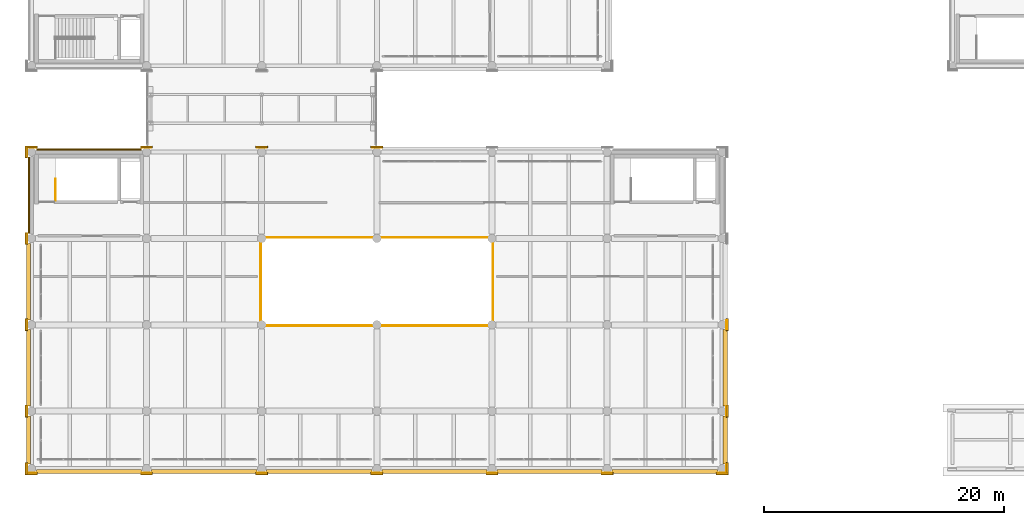
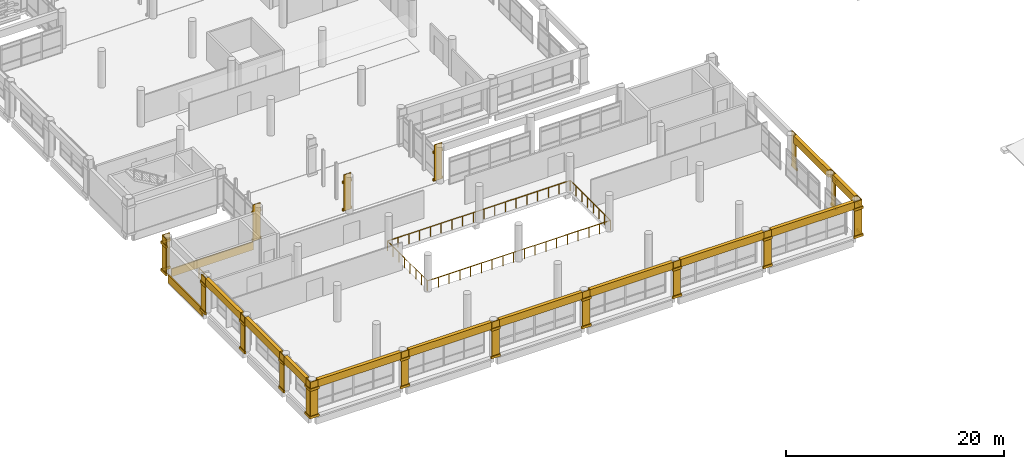
# One storey, part 160 of 180: 69 coverings, 3 railings.
"""IFC4 building model written with IfcOpenShell, lengths in metres."""

from ifc_helpers import new_model, si_unit, direction, frame, origin, origin_2d, place, context, subcontext, project, spatial, rectangle, circle, extrude, material, layer, layer_set, type_object, element, save


model = new_model("IFC4")

# Units and contexts
model_context = context("Model", 3, precision=1e-05, world=origin(), true_north=direction((0.0, 1.0)))
body_context = subcontext(model_context, "Body", "Model", "MODEL_VIEW")
ifc_project = project(units=[si_unit("LENGTHUNIT", "METRE"), si_unit("AREAUNIT", "SQUARE_METRE"), si_unit("VOLUMEUNIT", "CUBIC_METRE"), si_unit("PLANEANGLEUNIT", "RADIAN"), si_unit("MASSUNIT", "GRAM", prefix="KILO")], contexts=[model_context])

# Site, building, storey
site_placement = place(None, origin())
site = spatial("IfcSite", under=ifc_project, at=site_placement, CompositionType="ELEMENT")
building_placement = place(site_placement, origin())
building = spatial("IfcBuilding", under=site, at=building_placement, Name="Asteropetra Specialist Clinic", CompositionType="ELEMENT")
storey_placement = place(building_placement, frame((0.0, 0.0, 4.419921875)))
storey = spatial("IfcBuildingStorey", under=building, at=storey_placement, Name="L01", CompositionType="ELEMENT", Elevation=4.419921875)

# Coverings
ifc_material_1 = material(Name="Pentelic marble ashlar", Category="masonry")
ifc_layer = layer(ifc_material_1, 0.159912109375)
ifc_layer_set = layer_set([ifc_layer], Name="Pentelic marble ashlar")
covering_type = type_object("IfcCoveringType", Name="CRN-ENTAB-600", PredefinedType="MOLDING", material=ifc_layer_set)
for number, where, z_axis, x_axis, name in (
    (1, (4.800048828125, -0.239990234375, 3.25), (0.0, 0.0, 1.0), (1.0, 0.0, 0.0), "Stoa Classical Entablature SE-0013"),
    (2, (14.39990234375, -0.239990234375, 3.25), (0.0, 0.0, 1.0), (1.0, 0.0, 0.0), "Stoa Classical Entablature SE-0014"),
    (3, (24.0, -0.239990234375, 3.25), (0.0, 0.0, 1.0), (1.0, 0.0, 0.0), "Stoa Classical Entablature SE-0015"),
    (4, (33.60009765625, -0.239990234375, 3.25), (0.0, 0.0, 1.0), (1.0, 0.0, 0.0), "Stoa Classical Entablature SE-0016"),
    (5, (43.199951171875, -0.239990234375, 3.25), (0.0, 0.0, 1.0), (1.0, 0.0, 0.0), "Stoa Classical Entablature SE-0018"),
    (6, (52.800048828125, -0.239990234375, 3.25), (0.0, 0.0, 1.0), (1.0, 0.0, 0.0), "Stoa Classical Entablature SE-0020"),
):
    element("IfcCovering", number, at=place(storey_placement, frame(where, z_axis=z_axis, x_axis=x_axis)), inside=storey, type_object=covering_type, Name=name, PredefinedType="MOLDING", context=body_context, shape_type="SweptSolid", body=[
        extrude(rectangle(XDim=8.780029296875, YDim=0.360107421875, at=origin_2d()), origin(), (0.0, 0.0, 1.0), 0.820068359375),
    ])
for number, where, z_axis, x_axis, name in (
    (7, (-0.239990234375, 2.39990234375, 3.25), (0.0, 0.0, 1.0), (1.0, 0.0, 0.0), "Stoa Classical Entablature SE-0021"),
    (8, (57.840087890625, 2.39990234375, 3.25), (0.0, 0.0, 1.0), (1.0, 0.0, 0.0), "Stoa Classical Entablature SE-0022"),
):
    element("IfcCovering", number, at=place(storey_placement, frame(where, z_axis=z_axis, x_axis=x_axis)), inside=storey, type_object=covering_type, Name=name, PredefinedType="MOLDING", context=body_context, shape_type="SweptSolid", body=[
        extrude(rectangle(XDim=0.360107421875, YDim=3.97998046875, at=origin_2d()), origin(), (0.0, 0.0, 1.0), 0.820068359375),
    ])
for number, where, z_axis, x_axis, name in (
    (9, (-0.239990234375, 8.39990234375, 3.25), (0.0, 0.0, 1.0), (1.0, 0.0, 0.0), "Stoa Classical Entablature SE-0023"),
    (10, (57.840087890625, 8.39990234375, 3.25), (0.0, 0.0, 1.0), (1.0, 0.0, 0.0), "Stoa Classical Entablature SE-0024"),
    (11, (-0.239990234375, 15.60009765625, 3.25), (0.0, 0.0, 1.0), (1.0, 0.0, 0.0), "Stoa Classical Entablature SE-0025"),
):
    element("IfcCovering", number, at=place(storey_placement, frame(where, z_axis=z_axis, x_axis=x_axis)), inside=storey, type_object=covering_type, Name=name, PredefinedType="MOLDING", context=body_context, shape_type="SweptSolid", body=[
        extrude(rectangle(XDim=0.360107421875, YDim=6.3798828125, at=origin_2d()), origin(), (0.0, 0.0, 1.0), 0.820068359375),
    ])
covering_1_placement = place(storey_placement, frame((0.0, -0.382080078125, 0.02001953125), z_axis=(0.0, 0.0, 1.0), x_axis=(1.0, 0.0, 0.0)))
element("IfcCovering", 12, at=covering_1_placement, inside=storey, type_object=covering_type, Name="Neoclassical Pilaster Facing CM-0307", PredefinedType="MOLDING", context=body_context, shape_type="SweptSolid", body=[
    extrude(rectangle(XDim=0.780029296875, YDim=0.080078125, at=origin_2d()), origin(), (0.0, 0.0, 1.0), 4.0400390625),
])
for number, where, z_axis, x_axis, name in (
    (13, (0.0, -0.422119140625, 0.01025390625), (0.0, 0.0, 1.0), (1.0, 0.0, 0.0), "Doric Base CC-0308"),
    (14, (0.0, -0.422119140625, 3.08984375), (0.0, 0.0, 1.0), (1.0, 0.0, 0.0), "Doric Capital CC-0309"),
):
    element("IfcCovering", number, at=place(storey_placement, frame(where, z_axis=z_axis, x_axis=x_axis)), inside=storey, type_object=covering_type, Name=name, PredefinedType="MOLDING", context=body_context, shape_type="SweptSolid", body=[
        extrude(rectangle(XDim=0.97998046875, YDim=0.159912109375, at=origin_2d()), origin(), (0.0, 0.0, 1.0), 0.260009765625),
    ])
covering_2_placement = place(storey_placement, frame((-0.382080078125, 0.0, 0.02001953125), z_axis=(0.0, 0.0, 1.0), x_axis=(1.0, 0.0, 0.0)))
element("IfcCovering", 15, at=covering_2_placement, inside=storey, type_object=covering_type, Name="Neoclassical Pilaster Facing CM-0310", PredefinedType="MOLDING", context=body_context, shape_type="SweptSolid", body=[
    extrude(rectangle(XDim=0.080078125, YDim=0.780029296875, at=origin_2d()), origin(), (0.0, 0.0, 1.0), 4.0400390625),
])
for number, where, z_axis, x_axis, name in (
    (16, (-0.422119140625, 0.0, 0.01025390625), (0.0, 0.0, 1.0), (1.0, 0.0, 0.0), "Doric Base CC-0311"),
    (17, (-0.422119140625, 0.0, 3.08984375), (0.0, 0.0, 1.0), (1.0, 0.0, 0.0), "Doric Capital CC-0312"),
):
    element("IfcCovering", number, at=place(storey_placement, frame(where, z_axis=z_axis, x_axis=x_axis)), inside=storey, type_object=covering_type, Name=name, PredefinedType="MOLDING", context=body_context, shape_type="SweptSolid", body=[
        extrude(rectangle(XDim=0.159912109375, YDim=0.97998046875, at=origin_2d()), origin(), (0.0, 0.0, 1.0), 0.260009765625),
    ])
covering_3_placement = place(storey_placement, frame((-0.382080078125, 4.800048828125, 0.02001953125), z_axis=(0.0, 0.0, 1.0), x_axis=(1.0, 0.0, 0.0)))
element("IfcCovering", 18, at=covering_3_placement, inside=storey, type_object=covering_type, Name="Neoclassical Pilaster Facing CM-0313", PredefinedType="MOLDING", context=body_context, shape_type="SweptSolid", body=[
    extrude(rectangle(XDim=0.080078125, YDim=0.780029296875, at=origin_2d()), origin(), (0.0, 0.0, 1.0), 4.0400390625),
])
for number, where, z_axis, x_axis, name in (
    (19, (-0.422119140625, 4.800048828125, 0.01025390625), (0.0, 0.0, 1.0), (1.0, 0.0, 0.0), "Doric Base CC-0314"),
    (20, (-0.422119140625, 4.800048828125, 3.08984375), (0.0, 0.0, 1.0), (1.0, 0.0, 0.0), "Doric Capital CC-0315"),
):
    element("IfcCovering", number, at=place(storey_placement, frame(where, z_axis=z_axis, x_axis=x_axis)), inside=storey, type_object=covering_type, Name=name, PredefinedType="MOLDING", context=body_context, shape_type="SweptSolid", body=[
        extrude(rectangle(XDim=0.159912109375, YDim=0.97998046875, at=origin_2d()), origin(), (0.0, 0.0, 1.0), 0.260009765625),
    ])
covering_4_placement = place(storey_placement, frame((-0.382080078125, 12.0, 0.02001953125), z_axis=(0.0, 0.0, 1.0), x_axis=(1.0, 0.0, 0.0)))
element("IfcCovering", 21, at=covering_4_placement, inside=storey, type_object=covering_type, Name="Neoclassical Pilaster Facing CM-0316", PredefinedType="MOLDING", context=body_context, shape_type="SweptSolid", body=[
    extrude(rectangle(XDim=0.080078125, YDim=0.780029296875, at=origin_2d()), origin(), (0.0, 0.0, 1.0), 4.0400390625),
])
for number, where, z_axis, x_axis, name in (
    (22, (-0.422119140625, 12.0, 0.01025390625), (0.0, 0.0, 1.0), (1.0, 0.0, 0.0), "Doric Base CC-0317"),
    (23, (-0.422119140625, 12.0, 3.08984375), (0.0, 0.0, 1.0), (1.0, 0.0, 0.0), "Doric Capital CC-0318"),
):
    element("IfcCovering", number, at=place(storey_placement, frame(where, z_axis=z_axis, x_axis=x_axis)), inside=storey, type_object=covering_type, Name=name, PredefinedType="MOLDING", context=body_context, shape_type="SweptSolid", body=[
        extrude(rectangle(XDim=0.159912109375, YDim=0.97998046875, at=origin_2d()), origin(), (0.0, 0.0, 1.0), 0.260009765625),
    ])
covering_5_placement = place(storey_placement, frame((-0.382080078125, 19.199951171875, 0.02001953125), z_axis=(0.0, 0.0, 1.0), x_axis=(1.0, 0.0, 0.0)))
element("IfcCovering", 24, at=covering_5_placement, inside=storey, type_object=covering_type, Name="Neoclassical Pilaster Facing CM-0319", PredefinedType="MOLDING", context=body_context, shape_type="SweptSolid", body=[
    extrude(rectangle(XDim=0.080078125, YDim=0.780029296875, at=origin_2d()), origin(), (0.0, 0.0, 1.0), 4.0400390625),
])
for number, where, z_axis, x_axis, name in (
    (25, (-0.422119140625, 19.199951171875, 0.01025390625), (0.0, 0.0, 1.0), (1.0, 0.0, 0.0), "Doric Base CC-0320"),
    (26, (-0.422119140625, 19.199951171875, 3.08984375), (0.0, 0.0, 1.0), (1.0, 0.0, 0.0), "Doric Capital CC-0321"),
):
    element("IfcCovering", number, at=place(storey_placement, frame(where, z_axis=z_axis, x_axis=x_axis)), inside=storey, type_object=covering_type, Name=name, PredefinedType="MOLDING", context=body_context, shape_type="SweptSolid", body=[
        extrude(rectangle(XDim=0.159912109375, YDim=0.97998046875, at=origin_2d()), origin(), (0.0, 0.0, 1.0), 0.260009765625),
    ])
covering_6_placement = place(storey_placement, frame((0.0, 26.781982421875, 0.02001953125), z_axis=(0.0, 0.0, 1.0), x_axis=(1.0, 0.0, 0.0)))
element("IfcCovering", 27, at=covering_6_placement, inside=storey, type_object=covering_type, Name="Neoclassical Pilaster Facing CM-0322", PredefinedType="MOLDING", context=body_context, shape_type="SweptSolid", body=[
    extrude(rectangle(XDim=0.780029296875, YDim=0.080078125, at=origin_2d()), origin(), (0.0, 0.0, 1.0), 4.0400390625),
])
for number, where, z_axis, x_axis, name in (
    (28, (0.0, 26.822021484375, 0.01025390625), (0.0, 0.0, 1.0), (1.0, 0.0, 0.0), "Doric Base CC-0323"),
    (29, (0.0, 26.822021484375, 3.08984375), (0.0, 0.0, 1.0), (1.0, 0.0, 0.0), "Doric Capital CC-0324"),
):
    element("IfcCovering", number, at=place(storey_placement, frame(where, z_axis=z_axis, x_axis=x_axis)), inside=storey, type_object=covering_type, Name=name, PredefinedType="MOLDING", context=body_context, shape_type="SweptSolid", body=[
        extrude(rectangle(XDim=0.97998046875, YDim=0.159912109375, at=origin_2d()), origin(), (0.0, 0.0, 1.0), 0.260009765625),
    ])
covering_7_placement = place(storey_placement, frame((-0.382080078125, 26.39990234375, 0.02001953125), z_axis=(0.0, 0.0, 1.0), x_axis=(1.0, 0.0, 0.0)))
element("IfcCovering", 30, at=covering_7_placement, inside=storey, type_object=covering_type, Name="Neoclassical Pilaster Facing CM-0325", PredefinedType="MOLDING", context=body_context, shape_type="SweptSolid", body=[
    extrude(rectangle(XDim=0.080078125, YDim=0.780029296875, at=origin_2d()), origin(), (0.0, 0.0, 1.0), 4.0400390625),
])
for number, where, z_axis, x_axis, name in (
    (31, (-0.422119140625, 26.39990234375, 0.01025390625), (0.0, 0.0, 1.0), (1.0, 0.0, 0.0), "Doric Base CC-0326"),
    (32, (-0.422119140625, 26.39990234375, 3.08984375), (0.0, 0.0, 1.0), (1.0, 0.0, 0.0), "Doric Capital CC-0327"),
):
    element("IfcCovering", number, at=place(storey_placement, frame(where, z_axis=z_axis, x_axis=x_axis)), inside=storey, type_object=covering_type, Name=name, PredefinedType="MOLDING", context=body_context, shape_type="SweptSolid", body=[
        extrude(rectangle(XDim=0.159912109375, YDim=0.97998046875, at=origin_2d()), origin(), (0.0, 0.0, 1.0), 0.260009765625),
    ])
covering_8_placement = place(storey_placement, frame((9.60009765625, -0.382080078125, 0.02001953125), z_axis=(0.0, 0.0, 1.0), x_axis=(1.0, 0.0, 0.0)))
element("IfcCovering", 33, at=covering_8_placement, inside=storey, type_object=covering_type, Name="Neoclassical Pilaster Facing CM-0328", PredefinedType="MOLDING", context=body_context, shape_type="SweptSolid", body=[
    extrude(rectangle(XDim=0.780029296875, YDim=0.080078125, at=origin_2d()), origin(), (0.0, 0.0, 1.0), 4.0400390625),
])
for number, where, z_axis, x_axis, name in (
    (34, (9.60009765625, -0.422119140625, 0.01025390625), (0.0, 0.0, 1.0), (1.0, 0.0, 0.0), "Doric Base CC-0329"),
    (35, (9.60009765625, -0.422119140625, 3.08984375), (0.0, 0.0, 1.0), (1.0, 0.0, 0.0), "Doric Capital CC-0330"),
):
    element("IfcCovering", number, at=place(storey_placement, frame(where, z_axis=z_axis, x_axis=x_axis)), inside=storey, type_object=covering_type, Name=name, PredefinedType="MOLDING", context=body_context, shape_type="SweptSolid", body=[
        extrude(rectangle(XDim=0.97998046875, YDim=0.159912109375, at=origin_2d()), origin(), (0.0, 0.0, 1.0), 0.260009765625),
    ])
covering_9_placement = place(storey_placement, frame((9.60009765625, 26.781982421875, 0.02001953125), z_axis=(0.0, 0.0, 1.0), x_axis=(1.0, 0.0, 0.0)))
element("IfcCovering", 36, at=covering_9_placement, inside=storey, type_object=covering_type, Name="Neoclassical Pilaster Facing CM-0331", PredefinedType="MOLDING", context=body_context, shape_type="SweptSolid", body=[
    extrude(rectangle(XDim=0.780029296875, YDim=0.080078125, at=origin_2d()), origin(), (0.0, 0.0, 1.0), 4.0400390625),
])
for number, where, z_axis, x_axis, name in (
    (37, (9.60009765625, 26.822021484375, 0.01025390625), (0.0, 0.0, 1.0), (1.0, 0.0, 0.0), "Doric Base CC-0332"),
    (38, (9.60009765625, 26.822021484375, 3.08984375), (0.0, 0.0, 1.0), (1.0, 0.0, 0.0), "Doric Capital CC-0333"),
):
    element("IfcCovering", number, at=place(storey_placement, frame(where, z_axis=z_axis, x_axis=x_axis)), inside=storey, type_object=covering_type, Name=name, PredefinedType="MOLDING", context=body_context, shape_type="SweptSolid", body=[
        extrude(rectangle(XDim=0.97998046875, YDim=0.159912109375, at=origin_2d()), origin(), (0.0, 0.0, 1.0), 0.260009765625),
    ])
covering_10_placement = place(storey_placement, frame((19.199951171875, -0.382080078125, 0.02001953125), z_axis=(0.0, 0.0, 1.0), x_axis=(1.0, 0.0, 0.0)))
element("IfcCovering", 39, at=covering_10_placement, inside=storey, type_object=covering_type, Name="Neoclassical Pilaster Facing CM-0334", PredefinedType="MOLDING", context=body_context, shape_type="SweptSolid", body=[
    extrude(rectangle(XDim=0.780029296875, YDim=0.080078125, at=origin_2d()), origin(), (0.0, 0.0, 1.0), 4.0400390625),
])
for number, where, z_axis, x_axis, name in (
    (40, (19.199951171875, -0.422119140625, 0.01025390625), (0.0, 0.0, 1.0), (1.0, 0.0, 0.0), "Doric Base CC-0335"),
    (41, (19.199951171875, -0.422119140625, 3.08984375), (0.0, 0.0, 1.0), (1.0, 0.0, 0.0), "Doric Capital CC-0336"),
):
    element("IfcCovering", number, at=place(storey_placement, frame(where, z_axis=z_axis, x_axis=x_axis)), inside=storey, type_object=covering_type, Name=name, PredefinedType="MOLDING", context=body_context, shape_type="SweptSolid", body=[
        extrude(rectangle(XDim=0.97998046875, YDim=0.159912109375, at=origin_2d()), origin(), (0.0, 0.0, 1.0), 0.260009765625),
    ])
covering_11_placement = place(storey_placement, frame((19.199951171875, 26.781982421875, 0.02001953125), z_axis=(0.0, 0.0, 1.0), x_axis=(1.0, 0.0, 0.0)))
element("IfcCovering", 42, at=covering_11_placement, inside=storey, type_object=covering_type, Name="Neoclassical Pilaster Facing CM-0337", PredefinedType="MOLDING", context=body_context, shape_type="SweptSolid", body=[
    extrude(rectangle(XDim=0.780029296875, YDim=0.080078125, at=origin_2d()), origin(), (0.0, 0.0, 1.0), 4.0400390625),
])
for number, where, z_axis, x_axis, name in (
    (43, (19.199951171875, 26.822021484375, 0.01025390625), (0.0, 0.0, 1.0), (1.0, 0.0, 0.0), "Doric Base CC-0338"),
    (44, (19.199951171875, 26.822021484375, 3.08984375), (0.0, 0.0, 1.0), (1.0, 0.0, 0.0), "Doric Capital CC-0339"),
):
    element("IfcCovering", number, at=place(storey_placement, frame(where, z_axis=z_axis, x_axis=x_axis)), inside=storey, type_object=covering_type, Name=name, PredefinedType="MOLDING", context=body_context, shape_type="SweptSolid", body=[
        extrude(rectangle(XDim=0.97998046875, YDim=0.159912109375, at=origin_2d()), origin(), (0.0, 0.0, 1.0), 0.260009765625),
    ])
covering_12_placement = place(storey_placement, frame((28.800048828125, -0.382080078125, 0.02001953125), z_axis=(0.0, 0.0, 1.0), x_axis=(1.0, 0.0, 0.0)))
element("IfcCovering", 45, at=covering_12_placement, inside=storey, type_object=covering_type, Name="Neoclassical Pilaster Facing CM-0340", PredefinedType="MOLDING", context=body_context, shape_type="SweptSolid", body=[
    extrude(rectangle(XDim=0.780029296875, YDim=0.080078125, at=origin_2d()), origin(), (0.0, 0.0, 1.0), 4.0400390625),
])
for number, where, z_axis, x_axis, name in (
    (46, (28.800048828125, -0.422119140625, 0.01025390625), (0.0, 0.0, 1.0), (1.0, 0.0, 0.0), "Doric Base CC-0341"),
    (47, (28.800048828125, -0.422119140625, 3.08984375), (0.0, 0.0, 1.0), (1.0, 0.0, 0.0), "Doric Capital CC-0342"),
):
    element("IfcCovering", number, at=place(storey_placement, frame(where, z_axis=z_axis, x_axis=x_axis)), inside=storey, type_object=covering_type, Name=name, PredefinedType="MOLDING", context=body_context, shape_type="SweptSolid", body=[
        extrude(rectangle(XDim=0.97998046875, YDim=0.159912109375, at=origin_2d()), origin(), (0.0, 0.0, 1.0), 0.260009765625),
    ])
covering_13_placement = place(storey_placement, frame((28.800048828125, 26.781982421875, 0.02001953125), z_axis=(0.0, 0.0, 1.0), x_axis=(1.0, 0.0, 0.0)))
element("IfcCovering", 48, at=covering_13_placement, inside=storey, type_object=covering_type, Name="Neoclassical Pilaster Facing CM-0343", PredefinedType="MOLDING", context=body_context, shape_type="SweptSolid", body=[
    extrude(rectangle(XDim=0.780029296875, YDim=0.080078125, at=origin_2d()), origin(), (0.0, 0.0, 1.0), 4.0400390625),
])
for number, where, z_axis, x_axis, name in (
    (49, (28.800048828125, 26.822021484375, 0.01025390625), (0.0, 0.0, 1.0), (1.0, 0.0, 0.0), "Doric Base CC-0344"),
    (50, (28.800048828125, 26.822021484375, 3.08984375), (0.0, 0.0, 1.0), (1.0, 0.0, 0.0), "Doric Capital CC-0345"),
):
    element("IfcCovering", number, at=place(storey_placement, frame(where, z_axis=z_axis, x_axis=x_axis)), inside=storey, type_object=covering_type, Name=name, PredefinedType="MOLDING", context=body_context, shape_type="SweptSolid", body=[
        extrude(rectangle(XDim=0.97998046875, YDim=0.159912109375, at=origin_2d()), origin(), (0.0, 0.0, 1.0), 0.260009765625),
    ])
covering_14_placement = place(storey_placement, frame((38.39990234375, -0.382080078125, 0.02001953125), z_axis=(0.0, 0.0, 1.0), x_axis=(1.0, 0.0, 0.0)))
element("IfcCovering", 51, at=covering_14_placement, inside=storey, type_object=covering_type, Name="Neoclassical Pilaster Facing CM-0346", PredefinedType="MOLDING", context=body_context, shape_type="SweptSolid", body=[
    extrude(rectangle(XDim=0.780029296875, YDim=0.080078125, at=origin_2d()), origin(), (0.0, 0.0, 1.0), 4.0400390625),
])
for number, where, z_axis, x_axis, name in (
    (52, (38.39990234375, -0.422119140625, 0.01025390625), (0.0, 0.0, 1.0), (1.0, 0.0, 0.0), "Doric Base CC-0347"),
    (53, (38.39990234375, -0.422119140625, 3.08984375), (0.0, 0.0, 1.0), (1.0, 0.0, 0.0), "Doric Capital CC-0348"),
):
    element("IfcCovering", number, at=place(storey_placement, frame(where, z_axis=z_axis, x_axis=x_axis)), inside=storey, type_object=covering_type, Name=name, PredefinedType="MOLDING", context=body_context, shape_type="SweptSolid", body=[
        extrude(rectangle(XDim=0.97998046875, YDim=0.159912109375, at=origin_2d()), origin(), (0.0, 0.0, 1.0), 0.260009765625),
    ])
covering_15_placement = place(storey_placement, frame((48.0, -0.382080078125, 0.02001953125), z_axis=(0.0, 0.0, 1.0), x_axis=(1.0, 0.0, 0.0)))
element("IfcCovering", 54, at=covering_15_placement, inside=storey, type_object=covering_type, Name="Neoclassical Pilaster Facing CM-0352", PredefinedType="MOLDING", context=body_context, shape_type="SweptSolid", body=[
    extrude(rectangle(XDim=0.780029296875, YDim=0.080078125, at=origin_2d()), origin(), (0.0, 0.0, 1.0), 4.0400390625),
])
for number, where, z_axis, x_axis, name in (
    (55, (48.0, -0.422119140625, 0.01025390625), (0.0, 0.0, 1.0), (1.0, 0.0, 0.0), "Doric Base CC-0353"),
    (56, (48.0, -0.422119140625, 3.08984375), (0.0, 0.0, 1.0), (1.0, 0.0, 0.0), "Doric Capital CC-0354"),
):
    element("IfcCovering", number, at=place(storey_placement, frame(where, z_axis=z_axis, x_axis=x_axis)), inside=storey, type_object=covering_type, Name=name, PredefinedType="MOLDING", context=body_context, shape_type="SweptSolid", body=[
        extrude(rectangle(XDim=0.97998046875, YDim=0.159912109375, at=origin_2d()), origin(), (0.0, 0.0, 1.0), 0.260009765625),
    ])
covering_16_placement = place(storey_placement, frame((57.60009765625, -0.382080078125, 0.02001953125), z_axis=(0.0, 0.0, 1.0), x_axis=(1.0, 0.0, 0.0)))
element("IfcCovering", 57, at=covering_16_placement, inside=storey, type_object=covering_type, Name="Neoclassical Pilaster Facing CM-0358", PredefinedType="MOLDING", context=body_context, shape_type="SweptSolid", body=[
    extrude(rectangle(XDim=0.780029296875, YDim=0.080078125, at=origin_2d()), origin(), (0.0, 0.0, 1.0), 4.0400390625),
])
for number, where, z_axis, x_axis, name in (
    (58, (57.60009765625, -0.422119140625, 0.01025390625), (0.0, 0.0, 1.0), (1.0, 0.0, 0.0), "Doric Base CC-0359"),
    (59, (57.60009765625, -0.422119140625, 3.08984375), (0.0, 0.0, 1.0), (1.0, 0.0, 0.0), "Doric Capital CC-0360"),
):
    element("IfcCovering", number, at=place(storey_placement, frame(where, z_axis=z_axis, x_axis=x_axis)), inside=storey, type_object=covering_type, Name=name, PredefinedType="MOLDING", context=body_context, shape_type="SweptSolid", body=[
        extrude(rectangle(XDim=0.97998046875, YDim=0.159912109375, at=origin_2d()), origin(), (0.0, 0.0, 1.0), 0.260009765625),
    ])
covering_17_placement = place(storey_placement, frame((57.98193359375, 0.0, 0.02001953125), z_axis=(0.0, 0.0, 1.0), x_axis=(1.0, 0.0, 0.0)))
element("IfcCovering", 60, at=covering_17_placement, inside=storey, type_object=covering_type, Name="Neoclassical Pilaster Facing CM-0361", PredefinedType="MOLDING", context=body_context, shape_type="SweptSolid", body=[
    extrude(rectangle(XDim=0.080078125, YDim=0.780029296875, at=origin_2d()), origin(), (0.0, 0.0, 1.0), 4.0400390625),
])
for number, where, z_axis, x_axis, name in (
    (61, (58.02197265625, 0.0, 0.01025390625), (0.0, 0.0, 1.0), (1.0, 0.0, 0.0), "Doric Base CC-0362"),
    (62, (58.02197265625, 0.0, 3.08984375), (0.0, 0.0, 1.0), (1.0, 0.0, 0.0), "Doric Capital CC-0363"),
):
    element("IfcCovering", number, at=place(storey_placement, frame(where, z_axis=z_axis, x_axis=x_axis)), inside=storey, type_object=covering_type, Name=name, PredefinedType="MOLDING", context=body_context, shape_type="SweptSolid", body=[
        extrude(rectangle(XDim=0.159912109375, YDim=0.97998046875, at=origin_2d()), origin(), (0.0, 0.0, 1.0), 0.260009765625),
    ])
covering_18_placement = place(storey_placement, frame((57.98193359375, 4.800048828125, 0.02001953125), z_axis=(0.0, 0.0, 1.0), x_axis=(1.0, 0.0, 0.0)))
element("IfcCovering", 63, at=covering_18_placement, inside=storey, type_object=covering_type, Name="Neoclassical Pilaster Facing CM-0364", PredefinedType="MOLDING", context=body_context, shape_type="SweptSolid", body=[
    extrude(rectangle(XDim=0.080078125, YDim=0.780029296875, at=origin_2d()), origin(), (0.0, 0.0, 1.0), 4.0400390625),
])
for number, where, z_axis, x_axis, name in (
    (64, (58.02197265625, 4.800048828125, 0.01025390625), (0.0, 0.0, 1.0), (1.0, 0.0, 0.0), "Doric Base CC-0365"),
    (65, (58.02197265625, 4.800048828125, 3.08984375), (0.0, 0.0, 1.0), (1.0, 0.0, 0.0), "Doric Capital CC-0366"),
):
    element("IfcCovering", number, at=place(storey_placement, frame(where, z_axis=z_axis, x_axis=x_axis)), inside=storey, type_object=covering_type, Name=name, PredefinedType="MOLDING", context=body_context, shape_type="SweptSolid", body=[
        extrude(rectangle(XDim=0.159912109375, YDim=0.97998046875, at=origin_2d()), origin(), (0.0, 0.0, 1.0), 0.260009765625),
    ])
covering_19_placement = place(storey_placement, frame((57.98193359375, 12.0, 0.02001953125), z_axis=(0.0, 0.0, 1.0), x_axis=(1.0, 0.0, 0.0)))
element("IfcCovering", 66, at=covering_19_placement, inside=storey, type_object=covering_type, Name="Neoclassical Pilaster Facing CM-0367", PredefinedType="MOLDING", context=body_context, shape_type="SweptSolid", body=[
    extrude(rectangle(XDim=0.080078125, YDim=0.780029296875, at=origin_2d()), origin(), (0.0, 0.0, 1.0), 4.0400390625),
])
covering_20_placement = place(storey_placement, frame((58.02197265625, 12.0, 0.01025390625), z_axis=(0.0, 0.0, 1.0), x_axis=(1.0, 0.0, 0.0)))
element("IfcCovering", 67, at=covering_20_placement, inside=storey, type_object=covering_type, Name="Doric Base CC-0368", PredefinedType="MOLDING", context=body_context, shape_type="SweptSolid", body=[
    extrude(rectangle(XDim=0.159912109375, YDim=0.97998046875, at=origin_2d()), origin(), (0.0, 0.0, 1.0), 0.260009765625),
])
covering_21_placement = place(storey_placement, frame((4.800048828125, 26.610107421875, -0.7998046875), z_axis=(0.0, 0.0, 1.0), x_axis=(1.0, 0.0, 0.0)))
element("IfcCovering", 68, at=covering_21_placement, inside=storey, type_object=covering_type, Name="Chevron Spandrel Band CV-1365", PredefinedType="MOLDING", context=body_context, shape_type="SweptSolid", body=[
    extrude(rectangle(XDim=8.699951171875, YDim=0.1201171875, at=origin_2d()), origin(), (0.0, 0.0, 1.0), 0.8798828125),
])
covering_22_placement = place(storey_placement, frame((-0.2099609375, 22.800048828125, -0.7998046875), z_axis=(0.0, 0.0, 1.0), x_axis=(1.0, 0.0, 0.0)))
element("IfcCovering", 69, at=covering_22_placement, inside=storey, type_object=covering_type, Name="Chevron Spandrel Band CV-1367", PredefinedType="MOLDING", context=body_context, shape_type="SweptSolid", body=[
    extrude(rectangle(XDim=0.1201171875, YDim=6.300048828125, at=origin_2d()), origin(), (0.0, 0.0, 1.0), 0.8798828125),
])

# Railings
ifc_material_2 = material(Name="Steel S355 and laminated glass guard", Category="steel")
railing_type = type_object("IfcRailingType", Name="GRD-INT-1120", PredefinedType="GUARDRAIL", material=ifc_material_2)
railing_1_placement = place(storey_placement, frame((2.0, 22.3798828125, 0.0)))
element("IfcRailing", 70, at=railing_1_placement, inside=storey, type_object=railing_type, Name="Stair Well Guard ST06-L00", PredefinedType="GUARDRAIL", context=body_context, shape_type="SweptSolid", body=[
    extrude(circle(Radius=0.02392578125, at=origin_2d()), frame((0.0, 0.0, 1.09619140625), z_axis=(0.0, 1.0, 0.0), x_axis=(-1.0, 0.0, 0.0)), (0.0, 0.0, 1.0), 1.780029296875),
    extrude(circle(Radius=0.02099609375, at=origin_2d()), origin(), (0.0, 0.0, 1.0), 1.072021484375),
    extrude(circle(Radius=0.02099609375, at=origin_2d()), frame((0.0, 0.89013671875, 0.0)), (0.0, 0.0, 1.0), 1.072021484375),
    extrude(circle(Radius=0.02099609375, at=origin_2d()), frame((0.0, 1.780029296875, 0.0)), (0.0, 0.0, 1.0), 1.072021484375),
])
railing_2_placement = place(storey_placement, frame((19.1201171875, 11.919921875, 0.0)))
element("IfcRailing", 71, at=railing_2_placement, inside=storey, type_object=railing_type, Name="Imaging Atrium Gallery Guard South-East", PredefinedType="GUARDRAIL", context=body_context, shape_type="SweptSolid", body=[
    extrude(circle(Radius=0.02392578125, at=origin_2d()), frame((0.0, 0.0, 1.09619140625), z_axis=(1.0, 0.0, 0.0), x_axis=(0.0, 1.0, 0.0)), (0.0, 0.0, 1.0), 19.35986328125),
    extrude(circle(Radius=0.02392578125, at=origin_2d()), frame((19.35986328125, 0.0, 1.09619140625), z_axis=(0.0, 1.0, 0.0), x_axis=(-1.0, 0.0, 0.0)), (0.0, 0.0, 1.0), 7.320068359375),
    extrude(circle(Radius=0.02099609375, at=origin_2d()), origin(), (0.0, 0.0, 1.0), 1.072021484375),
    extrude(circle(Radius=0.02099609375, at=origin_2d()), frame((1.138916015625, 0.0, 0.0)), (0.0, 0.0, 1.0), 1.072021484375),
    extrude(circle(Radius=0.02099609375, at=origin_2d()), frame((2.277587890625, 0.0, 0.0)), (0.0, 0.0, 1.0), 1.072021484375),
    extrude(circle(Radius=0.02099609375, at=origin_2d()), frame((3.41650390625, 0.0, 0.0)), (0.0, 0.0, 1.0), 1.072021484375),
    extrude(circle(Radius=0.02099609375, at=origin_2d()), frame((4.55517578125, 0.0, 0.0)), (0.0, 0.0, 1.0), 1.072021484375),
    extrude(circle(Radius=0.02099609375, at=origin_2d()), frame((5.694091796875, 0.0, 0.0)), (0.0, 0.0, 1.0), 1.072021484375),
    extrude(circle(Radius=0.02099609375, at=origin_2d()), frame((6.8330078125, 0.0, 0.0)), (0.0, 0.0, 1.0), 1.072021484375),
    extrude(circle(Radius=0.02099609375, at=origin_2d()), frame((7.9716796875, 0.0, 0.0)), (0.0, 0.0, 1.0), 1.072021484375),
    extrude(circle(Radius=0.02099609375, at=origin_2d()), frame((9.110595703125, 0.0, 0.0)), (0.0, 0.0, 1.0), 1.072021484375),
    extrude(circle(Radius=0.02099609375, at=origin_2d()), frame((10.249267578125, 0.0, 0.0)), (0.0, 0.0, 1.0), 1.072021484375),
    extrude(circle(Radius=0.02099609375, at=origin_2d()), frame((11.38818359375, 0.0, 0.0)), (0.0, 0.0, 1.0), 1.072021484375),
    extrude(circle(Radius=0.02099609375, at=origin_2d()), frame((12.52685546875, 0.0, 0.0)), (0.0, 0.0, 1.0), 1.072021484375),
    extrude(circle(Radius=0.02099609375, at=origin_2d()), frame((13.665771484375, 0.0, 0.0)), (0.0, 0.0, 1.0), 1.072021484375),
    extrude(circle(Radius=0.02099609375, at=origin_2d()), frame((14.8046875, 0.0, 0.0)), (0.0, 0.0, 1.0), 1.072021484375),
    extrude(circle(Radius=0.02099609375, at=origin_2d()), frame((15.943359375, 0.0, 0.0)), (0.0, 0.0, 1.0), 1.072021484375),
    extrude(circle(Radius=0.02099609375, at=origin_2d()), frame((17.082275390625, 0.0, 0.0)), (0.0, 0.0, 1.0), 1.072021484375),
    extrude(circle(Radius=0.02099609375, at=origin_2d()), frame((18.220947265625, 0.0, 0.0)), (0.0, 0.0, 1.0), 1.072021484375),
    extrude(circle(Radius=0.02099609375, at=origin_2d()), frame((19.35986328125, 0.0, 0.0)), (0.0, 0.0, 1.0), 1.072021484375),
    extrude(circle(Radius=0.02099609375, at=origin_2d()), frame((19.35986328125, 1.045654296875, 0.0)), (0.0, 0.0, 1.0), 1.072021484375),
    extrude(circle(Radius=0.02099609375, at=origin_2d()), frame((19.35986328125, 2.091552734375, 0.0)), (0.0, 0.0, 1.0), 1.072021484375),
    extrude(circle(Radius=0.02099609375, at=origin_2d()), frame((19.35986328125, 3.13720703125, 0.0)), (0.0, 0.0, 1.0), 1.072021484375),
    extrude(circle(Radius=0.02099609375, at=origin_2d()), frame((19.35986328125, 4.182861328125, 0.0)), (0.0, 0.0, 1.0), 1.072021484375),
    extrude(circle(Radius=0.02099609375, at=origin_2d()), frame((19.35986328125, 5.228515625, 0.0)), (0.0, 0.0, 1.0), 1.072021484375),
    extrude(circle(Radius=0.02099609375, at=origin_2d()), frame((19.35986328125, 6.2744140625, 0.0)), (0.0, 0.0, 1.0), 1.072021484375),
    extrude(circle(Radius=0.02099609375, at=origin_2d()), frame((19.35986328125, 7.320068359375, 0.0)), (0.0, 0.0, 1.0), 1.072021484375),
])
railing_3_placement = place(storey_placement, frame((38.43994140625, 19.280029296875, 0.0)))
element("IfcRailing", 72, at=railing_3_placement, inside=storey, type_object=railing_type, Name="Imaging Atrium Gallery Guard North-West", PredefinedType="GUARDRAIL", context=body_context, shape_type="SweptSolid", body=[
    extrude(circle(Radius=0.02392578125, at=origin_2d()), frame((0.0, 0.0, 1.09619140625), z_axis=(-1.0, 0.0, 0.0), x_axis=(0.0, -1.0, 0.0)), (0.0, 0.0, 1.0), 19.31982421875),
    extrude(circle(Radius=0.02392578125, at=origin_2d()), frame((-19.31982421875, 0.0, 1.09619140625), z_axis=(0.0, -1.0, 0.0), x_axis=(1.0, 0.0, 0.0)), (0.0, 0.0, 1.0), 7.300048828125),
    extrude(circle(Radius=0.02099609375, at=origin_2d()), origin(), (0.0, 0.0, 1.0), 1.072021484375),
    extrude(circle(Radius=0.02099609375, at=origin_2d()), frame((-1.136474609375, 0.0, 0.0)), (0.0, 0.0, 1.0), 1.072021484375),
    extrude(circle(Radius=0.02099609375, at=origin_2d()), frame((-2.27294921875, 0.0, 0.0)), (0.0, 0.0, 1.0), 1.072021484375),
    extrude(circle(Radius=0.02099609375, at=origin_2d()), frame((-3.409423828125, 0.0, 0.0)), (0.0, 0.0, 1.0), 1.072021484375),
    extrude(circle(Radius=0.02099609375, at=origin_2d()), frame((-4.5458984375, 0.0, 0.0)), (0.0, 0.0, 1.0), 1.072021484375),
    extrude(circle(Radius=0.02099609375, at=origin_2d()), frame((-5.682373046875, 0.0, 0.0)), (0.0, 0.0, 1.0), 1.072021484375),
    extrude(circle(Radius=0.02099609375, at=origin_2d()), frame((-6.81884765625, 0.0, 0.0)), (0.0, 0.0, 1.0), 1.072021484375),
    extrude(circle(Radius=0.02099609375, at=origin_2d()), frame((-7.955322265625, 0.0, 0.0)), (0.0, 0.0, 1.0), 1.072021484375),
    extrude(circle(Radius=0.02099609375, at=origin_2d()), frame((-9.091796875, 0.0, 0.0)), (0.0, 0.0, 1.0), 1.072021484375),
    extrude(circle(Radius=0.02099609375, at=origin_2d()), frame((-10.22802734375, 0.0, 0.0)), (0.0, 0.0, 1.0), 1.072021484375),
    extrude(circle(Radius=0.02099609375, at=origin_2d()), frame((-11.364501953125, 0.0, 0.0)), (0.0, 0.0, 1.0), 1.072021484375),
    extrude(circle(Radius=0.02099609375, at=origin_2d()), frame((-12.5009765625, 0.0, 0.0)), (0.0, 0.0, 1.0), 1.072021484375),
    extrude(circle(Radius=0.02099609375, at=origin_2d()), frame((-13.637451171875, 0.0, 0.0)), (0.0, 0.0, 1.0), 1.072021484375),
    extrude(circle(Radius=0.02099609375, at=origin_2d()), frame((-14.77392578125, 0.0, 0.0)), (0.0, 0.0, 1.0), 1.072021484375),
    extrude(circle(Radius=0.02099609375, at=origin_2d()), frame((-15.910400390625, 0.0, 0.0)), (0.0, 0.0, 1.0), 1.072021484375),
    extrude(circle(Radius=0.02099609375, at=origin_2d()), frame((-17.046875, 0.0, 0.0)), (0.0, 0.0, 1.0), 1.072021484375),
    extrude(circle(Radius=0.02099609375, at=origin_2d()), frame((-18.183349609375, 0.0, 0.0)), (0.0, 0.0, 1.0), 1.072021484375),
    extrude(circle(Radius=0.02099609375, at=origin_2d()), frame((-19.31982421875, 0.0, 0.0)), (0.0, 0.0, 1.0), 1.072021484375),
    extrude(circle(Radius=0.02099609375, at=origin_2d()), frame((-19.31982421875, -1.04296875, 0.0)), (0.0, 0.0, 1.0), 1.072021484375),
    extrude(circle(Radius=0.02099609375, at=origin_2d()), frame((-19.31982421875, -2.085693359375, 0.0)), (0.0, 0.0, 1.0), 1.072021484375),
    extrude(circle(Radius=0.02099609375, at=origin_2d()), frame((-19.31982421875, -3.128662109375, 0.0)), (0.0, 0.0, 1.0), 1.072021484375),
    extrude(circle(Radius=0.02099609375, at=origin_2d()), frame((-19.31982421875, -4.17138671875, 0.0)), (0.0, 0.0, 1.0), 1.072021484375),
    extrude(circle(Radius=0.02099609375, at=origin_2d()), frame((-19.31982421875, -5.21435546875, 0.0)), (0.0, 0.0, 1.0), 1.072021484375),
    extrude(circle(Radius=0.02099609375, at=origin_2d()), frame((-19.31982421875, -6.257080078125, 0.0)), (0.0, 0.0, 1.0), 1.072021484375),
    extrude(circle(Radius=0.02099609375, at=origin_2d()), frame((-19.31982421875, -7.300048828125, 0.0)), (0.0, 0.0, 1.0), 1.072021484375),
])

save(model, "model.ifc")
